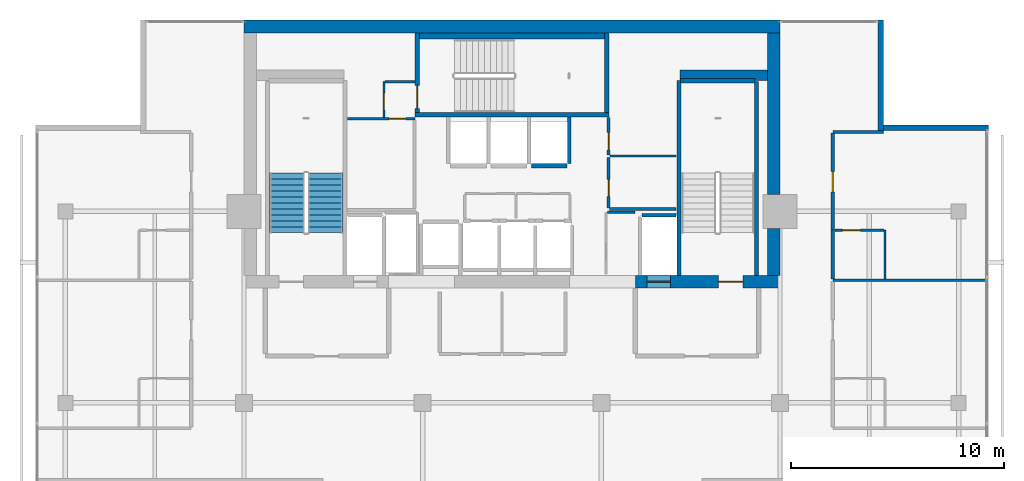
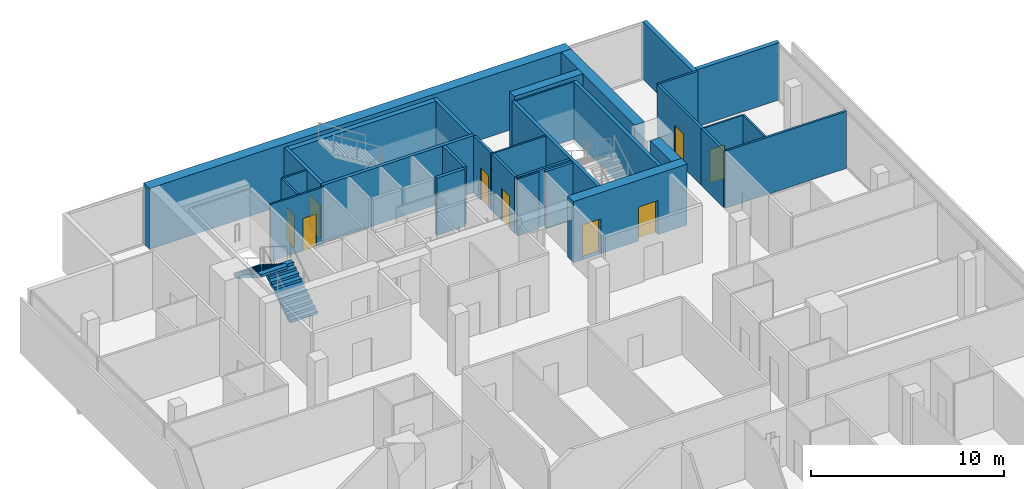
# One storey, part 23 of 26: 31 walls, 9 doors, 2 stair flights, 9 openings, 1 element without a shape of its own.
"""IFC4 building model written with IfcOpenShell, lengths in metres."""

from ifc_helpers import new_model, si_unit, direction, frame, frame_2d, origin, place, context, subcontext, project, spatial, polyline, rectangle, outline, extrude, material, layer, layer_set, type_object, element, fill, aggregate, save


model = new_model("IFC4")

# Units and contexts
model_context = context("Model", 3, precision=1e-05, world=origin(), true_north=direction((0.0, 1.0)))
body_context = subcontext(model_context, "Body", "Model", "MODEL_VIEW")
ifc_project = project(units=[si_unit("LENGTHUNIT", "METRE"), si_unit("AREAUNIT", "SQUARE_METRE"), si_unit("VOLUMEUNIT", "CUBIC_METRE"), si_unit("PLANEANGLEUNIT", "RADIAN"), si_unit("MASSUNIT", "GRAM", prefix="KILO")], contexts=[model_context])

# Site, building, storey
site_placement = place(None, origin())
site = spatial("IfcSite", under=ifc_project, at=site_placement, CompositionType="ELEMENT")
building_placement = place(site_placement, origin())
building = spatial("IfcBuilding", under=site, at=building_placement, Name="Maruvema Waterfront Hotel and Observation Tower", CompositionType="ELEMENT")
storey_placement = place(building_placement, frame((0.0, 0.0, 254.800048828125)))
storey = spatial("IfcBuildingStorey", under=building, at=storey_placement, Name="L62", CompositionType="ELEMENT", Elevation=254.800048828125)

# Wall, opening, door
ifc_material_1 = material(Name="Twin-stud acoustic gypsum drywall", Category="gypsum")
ifc_layer_1 = layer(ifc_material_1, 0.14990234375, Name="Acoustic Corridor and Suite Demising Wall 150 mm")
ifc_layer_set_1 = layer_set([ifc_layer_1], Name="Twin-stud acoustic gypsum drywall")
wall_type_1 = type_object("IfcWallType", Name="Acoustic Corridor and Suite Demising Wall 150 mm", PredefinedType="PARTITIONING", material=ifc_layer_set_1)
wall_1_placement = place(storey_placement, frame((42.340087890625, 45.159912109375, 0.0), z_axis=(0.0, 0.0, 1.0), x_axis=(0.0, 1.0, 0.0)))
wall_1 = element("IfcWall", 1, at=wall_1_placement, inside=storey, type_object=wall_type_1, Name="L62 Freed B2 West S 022", PredefinedType="PARTITIONING", context=body_context, shape_type="SweptSolid", body=[
    extrude(rectangle(XDim=2.380126953125, YDim=0.14990234375, at=frame_2d((1.18994140625, 0.0))), origin(), (0.0, 0.0, 1.0), 3.60986328125),
])
opening_1_placement = place(wall_1_placement, frame((0.550048828125, 0.0, 0.0)))
opening_1 = element("IfcOpeningElement", 2, at=opening_1_placement, cuts=wall_1, Name="Opening DR-080", PredefinedType="OPENING", context=body_context, shape_type="SweptSolid", body=[
    extrude(rectangle(XDim=0.800048828125, YDim=2.050048828125, at=frame_2d((0.39990234375, 1.02490234375))), frame((0.0, 0.0849609375, 0.0), z_axis=(0.0, -1.0, 0.0), x_axis=(1.0, 0.0, 0.0)), (0.0, 0.0, 1.0), 0.169921875),
])
ifc_material_2 = material(Name="Powder-coated steel access leaf", Category="steel")
door_type_1 = type_object("IfcDoorType", Name="Riser and Service Cupboard Door 800x2050 mm", OperationType="NOTDEFINED", PredefinedType="DOOR", material=ifc_material_2)
door_1_placement = place(opening_1_placement, frame((0.800048828125, 0.0, 0.0), z_axis=(0.0, 0.0, 1.0), x_axis=(-1.0, 0.0, 0.0)))
door_1 = element("IfcDoor", 3, at=door_1_placement, inside=storey, type_object=door_type_1, Name="L62 Butler Service Pantry Door", OperationType="SINGLE_SWING_RIGHT", OverallHeight=2.050048828125, OverallWidth=0.800048828125, PredefinedType="DOOR", context=body_context, shape_type="SweptSolid", body=[
    extrude(rectangle(XDim=0.800048828125, YDim=2.050048828125, at=frame_2d((0.39990234375, 1.02490234375))), frame((0.0, 0.02490234375, 0.0), z_axis=(0.0, -1.0, 0.0), x_axis=(1.0, 0.0, 0.0)), (0.0, 0.0, 1.0), 0.050048828125),
])
fill(opening_1, door_1)

wall_2_placement = place(storey_placement, frame((42.340087890625, 47.659912109375, 0.0), z_axis=(0.0, 0.0, 1.0), x_axis=(0.0, 1.0, 0.0)))
wall_2 = element("IfcWall", 4, at=wall_2_placement, inside=storey, type_object=wall_type_1, Name="L62 Freed B2 West N 023", PredefinedType="PARTITIONING", context=body_context, shape_type="SweptSolid", body=[
    extrude(rectangle(XDim=1.760009765625, YDim=0.14990234375, at=frame_2d((0.8798828125, 0.0))), origin(), (0.0, 0.0, 1.0), 3.60986328125),
])
opening_2_placement = place(wall_2_placement, frame((0.239990234375, 0.0, 0.0)))
opening_2 = element("IfcOpeningElement", 5, at=opening_2_placement, cuts=wall_2, Name="Opening DR-080", PredefinedType="OPENING", context=body_context, shape_type="SweptSolid", body=[
    extrude(rectangle(XDim=0.800048828125, YDim=2.050048828125, at=frame_2d((0.39990234375, 1.02490234375))), frame((0.0, 0.0849609375, 0.0), z_axis=(0.0, -1.0, 0.0), x_axis=(1.0, 0.0, 0.0)), (0.0, 0.0, 1.0), 0.169921875),
])
door_2_placement = place(opening_2_placement, frame((0.800048828125, 0.0, 0.0), z_axis=(0.0, 0.0, 1.0), x_axis=(-1.0, 0.0, 0.0)))
door_2 = element("IfcDoor", 6, at=door_2_placement, inside=storey, type_object=door_type_1, Name="L62 Core IT and Linen Store Door", OperationType="SINGLE_SWING_LEFT", OverallHeight=2.050048828125, OverallWidth=0.800048828125, PredefinedType="DOOR", context=body_context, shape_type="SweptSolid", body=[
    extrude(rectangle(XDim=0.800048828125, YDim=2.050048828125, at=frame_2d((0.39990234375, 1.02490234375))), frame((0.0, 0.02490234375, 0.0), z_axis=(0.0, -1.0, 0.0), x_axis=(1.0, 0.0, 0.0)), (0.0, 0.0, 1.0), 0.050048828125),
])
fill(opening_2, door_2)

# Walls
wall_3_placement = place(storey_placement, frame((42.3798828125, 45.1201171875, 0.0), z_axis=(0.0, 0.0, 1.0), x_axis=(1.0, 0.0, 0.0)))
element("IfcWall", 7, at=wall_3_placement, inside=storey, type_object=wall_type_1, Name="L62 Freed B2 South Wall 025", PredefinedType="PARTITIONING", context=body_context, shape_type="SweptSolid", body=[
    extrude(rectangle(XDim=3.14013671875, YDim=0.14990234375, at=frame_2d((1.570068359375, 0.0))), origin(), (0.0, 0.0, 1.0), 3.60986328125),
])
wall_4_placement = place(storey_placement, frame((52.8798828125, 41.82861328125, 0.0), z_axis=(0.0, 0.0, 1.0), x_axis=(0.0, 1.0, 0.0)))
element("IfcWall", 8, at=wall_4_placement, inside=storey, type_object=wall_type_1, Name="L62 Bath L62-NE2 Wall 108", PredefinedType="PARTITIONING", context=body_context, shape_type="SweptSolid", body=[
    extrude(rectangle(XDim=2.2900390625, YDim=0.14990234375, at=frame_2d((1.14501953125, 0.0))), origin(), (0.0, 0.0, 1.0), 3.60986328125),
])

# Wall, opening, door
wall_5_placement = place(storey_placement, frame((52.8798828125, 44.11865234375, 0.0), z_axis=(0.0, 0.0, 1.0), x_axis=(0.0, 1.0, 0.0)))
wall_5 = element("IfcWall", 9, at=wall_5_placement, inside=storey, type_object=wall_type_1, Name="L62 Room L62-NE2 Corridor Wall 109", PredefinedType="PARTITIONING", context=body_context, shape_type="SweptSolid", body=[
    extrude(rectangle(XDim=4.558837890625, YDim=0.14990234375, at=frame_2d((2.279296875, 0.0))), origin(), (0.0, 0.0, 1.0), 3.60986328125),
])
opening_3_placement = place(wall_5_placement, frame((1.804443359375, 0.0, 0.0)))
opening_3 = element("IfcOpeningElement", 10, at=opening_3_placement, cuts=wall_5, Name="Opening DR-095", PredefinedType="OPENING", context=body_context, shape_type="SweptSolid", body=[
    extrude(rectangle(XDim=0.949951171875, YDim=2.14990234375, at=frame_2d((0.47509765625, 1.074951171875))), frame((0.0, 0.0849609375, 0.0), z_axis=(0.0, -1.0, 0.0), x_axis=(1.0, 0.0, 0.0)), (0.0, 0.0, 1.0), 0.169921875),
])
ifc_material_3 = material(Name="Acoustic solid-core hardwood timber leaf", Category="wood")
door_type_2 = type_object("IfcDoorType", Name="Guestroom Entrance Fire Door 950x2150 mm", OperationType="NOTDEFINED", PredefinedType="DOOR", material=ifc_material_3)
door_3_placement = place(opening_3_placement, frame((0.949951171875, 0.0, 0.0), z_axis=(0.0, 0.0, 1.0), x_axis=(-1.0, 0.0, 0.0)))
door_3 = element("IfcDoor", 11, at=door_3_placement, inside=storey, type_object=door_type_2, Name="L62 Room L62-NE2 Entrance Door", OperationType="SINGLE_SWING_RIGHT", OverallHeight=2.14990234375, OverallWidth=0.949951171875, PredefinedType="DOOR", context=body_context, shape_type="SweptSolid", body=[
    extrude(rectangle(XDim=0.949951171875, YDim=2.14990234375, at=frame_2d((0.47509765625, 1.074951171875))), frame((0.0, 0.02490234375, 0.0), z_axis=(0.0, -1.0, 0.0), x_axis=(1.0, 0.0, 0.0)), (0.0, 0.0, 1.0), 0.050048828125),
])
fill(opening_3, door_3)

# Walls
ifc_material_4 = material(Name="Precast concrete C45/55", Category="concrete")
ifc_layer_2 = layer(ifc_material_4, 0.300048828125, Name="Core Shaft Furring Wall 300 mm")
ifc_layer_set_2 = layer_set([ifc_layer_2], Name="Precast concrete C45/55")
wall_type_2 = type_object("IfcWallType", Name="Core Shaft Furring Wall 300 mm", PredefinedType="SOLIDWALL", material=ifc_layer_set_2)
wall_6_placement = place(storey_placement, frame((33.449951171875, 53.25, 0.0), z_axis=(0.0, 0.0, 1.0), x_axis=(1.0, 0.0, 0.0)))
element("IfcWall", 12, at=wall_6_placement, inside=storey, type_object=wall_type_2, Name="L62 Stairwell ST-02 North Furring Wall", PredefinedType="SOLIDWALL", context=body_context, shape_type="SweptSolid", body=[
    extrude(rectangle(XDim=8.699951171875, YDim=0.300048828125, at=frame_2d((4.35009765625, 0.0))), origin(), (0.0, 0.0, 1.0), 3.60986328125),
])
ifc_material_5 = material(Name="Precast concrete C45/55", Category="concrete")
ifc_layer_3 = layer(ifc_material_5, 0.199951171875, Name="Core Shaft and Stairwell Enclosure Wall 200 mm")
ifc_layer_set_3 = layer_set([ifc_layer_3], Name="Precast concrete C45/55")
wall_type_3 = type_object("IfcWallType", Name="Core Shaft and Stairwell Enclosure Wall 200 mm", PredefinedType="SOLIDWALL", material=ifc_layer_set_3)
wall_7_placement = place(storey_placement, frame((33.25, 49.550048828125, 0.0), z_axis=(0.0, 0.0, 1.0), x_axis=(1.0, 0.0, 0.0)))
element("IfcWall", 13, at=wall_7_placement, inside=storey, type_object=wall_type_3, Name="L62 Stairwell ST-02 Shaft Wall", PredefinedType="SOLIDWALL", context=body_context, shape_type="SweptSolid", body=[
    extrude(rectangle(XDim=9.10009765625, YDim=0.199951171875, at=frame_2d((4.550048828125, 0.0))), origin(), (0.0, 0.0, 1.0), 3.60986328125),
])
wall_8_placement = place(storey_placement, frame((42.25, 49.64990234375, 0.0), z_axis=(0.0, 0.0, 1.0), x_axis=(0.0, 1.0, 0.0)))
element("IfcWall", 14, at=wall_8_placement, inside=storey, type_object=wall_type_3, Name="L62 Stairwell ST-02 Shaft Wall", PredefinedType="SOLIDWALL", context=body_context, shape_type="SweptSolid", body=[
    extrude(rectangle(XDim=3.75, YDim=0.199951171875, at=frame_2d((1.875, 0.0))), origin(), (0.0, 0.0, 1.0), 3.60986328125),
])

# Wall, opening, door
wall_9_placement = place(storey_placement, frame((33.35009765625, 49.64990234375, 0.0), z_axis=(0.0, 0.0, 1.0), x_axis=(0.0, 1.0, 0.0)))
wall_9 = element("IfcWall", 15, at=wall_9_placement, inside=storey, type_object=wall_type_3, Name="L62 Stairwell ST-02 Shaft Wall", PredefinedType="SOLIDWALL", context=body_context, shape_type="SweptSolid", body=[
    extrude(rectangle(XDim=3.75, YDim=0.199951171875, at=frame_2d((1.875, 0.0))), origin(), (0.0, 0.0, 1.0), 3.60986328125),
])
opening_4_placement = place(wall_9_placement, frame((0.179931640625, 0.0, 0.0)))
opening_4 = element("IfcOpeningElement", 16, at=opening_4_placement, cuts=wall_9, Name="Opening SD-02", PredefinedType="OPENING", context=body_context, shape_type="SweptSolid", body=[
    extrude(rectangle(XDim=1.10009765625, YDim=2.14990234375, at=frame_2d((0.550048828125, 1.074951171875))), frame((0.0, 0.10986328125, 0.0), z_axis=(0.0, -1.0, 0.0), x_axis=(1.0, 0.0, 0.0)), (0.0, 0.0, 1.0), 0.219970703125),
])
ifc_material_6 = material(Name="Fire-rated galvanised steel leaf", Category="steel")
door_type_3 = type_object("IfcDoorType", Name="Central Exit Stair Fire Door 1100x2150 mm", OperationType="NOTDEFINED", PredefinedType="DOOR", material=ifc_material_6)
door_4_placement = place(opening_4_placement, frame((1.10009765625, 0.0, 0.0), z_axis=(0.0, 0.0, 1.0), x_axis=(-1.0, 0.0, 0.0)))
door_4 = element("IfcDoor", 17, at=door_4_placement, inside=storey, type_object=door_type_3, Name="L62 Exit Stair ST-02 Fire Door", OperationType="SINGLE_SWING_LEFT", OverallHeight=2.14990234375, OverallWidth=1.10009765625, PredefinedType="DOOR", context=body_context, shape_type="SweptSolid", body=[
    extrude(rectangle(XDim=1.10009765625, YDim=2.14990234375, at=frame_2d((0.550048828125, 1.074951171875))), frame((0.0, 0.02490234375, 0.0), z_axis=(0.0, -1.0, 0.0), x_axis=(1.0, 0.0, 0.0)), (0.0, 0.0, 1.0), 0.050048828125),
])
fill(opening_4, door_4)

# Walls
wall_10_placement = place(storey_placement, frame((45.64990234375, 42.0, 0.0), z_axis=(0.0, 0.0, 1.0), x_axis=(0.0, 1.0, 0.0)))
element("IfcWall", 18, at=wall_10_placement, inside=storey, type_object=wall_type_3, Name="L62 Stairwell ST-03 West Shaft Wall", PredefinedType="SOLIDWALL", context=body_context, shape_type="SweptSolid", body=[
    extrude(rectangle(XDim=9.14990234375, YDim=0.199951171875, at=frame_2d((4.574951171875, 0.0))), origin(), (0.0, 0.0, 1.0), 3.60986328125),
])
wall_11_placement = place(storey_placement, frame((49.300048828125, 42.0, 0.0), z_axis=(0.0, 0.0, 1.0), x_axis=(0.0, 1.0, 0.0)))
element("IfcWall", 19, at=wall_11_placement, inside=storey, type_object=wall_type_3, Name="L62 Stairwell ST-03 Shaft Lining Wall", PredefinedType="SOLIDWALL", context=body_context, shape_type="SweptSolid", body=[
    extrude(rectangle(XDim=9.1201171875, YDim=0.199951171875, at=frame_2d((4.56005859375, 0.0))), origin(), (0.0, 0.0, 1.0), 3.60986328125),
])
wall_12_placement = place(storey_placement, frame((45.719970703125, 51.14990234375, 0.0), z_axis=(0.0, 0.0, 1.0), x_axis=(1.0, 0.0, 0.0)))
element("IfcWall", 20, at=wall_12_placement, inside=storey, type_object=wall_type_3, Name="L62 Stairwell ST-03 Shaft Lining Wall", PredefinedType="SOLIDWALL", context=body_context, shape_type="SweptSolid", body=[
    extrude(rectangle(XDim=3.5, YDim=0.199951171875, at=frame_2d((1.75, 0.0))), origin(), (0.0, 0.0, 1.0), 3.60986328125),
])
wall_13_placement = place(storey_placement, frame((38.7099609375, 47.14990234375, 0.0), z_axis=(0.0, 0.0, 1.0), x_axis=(1.0, 0.0, 0.0)))
element("IfcWall", 21, at=wall_13_placement, inside=storey, type_object=wall_type_3, Name="L62 Lift LF-14 Hoistway Front Wall", PredefinedType="SOLIDWALL", context=body_context, shape_type="SweptSolid", body=[
    extrude(rectangle(XDim=1.679931640625, YDim=0.199951171875, at=frame_2d((0.83984375, 0.0))), origin(), (0.0, 0.0, 1.0), 3.60986328125),
])
ifc_material_7 = material(Name="Concrete C70/85", Category="concrete")
ifc_layer_4 = layer(ifc_material_7, 0.5, Name="Core Shear Wall 500 mm")
ifc_layer_set_4 = layer_set([ifc_layer_4], Name="Concrete C70/85")
wall_type_4 = type_object("IfcWallType", Name="Core Shear Wall 500 mm", PredefinedType="SHEAR", material=ifc_layer_set_4)
wall_14_placement = place(storey_placement, frame((45.699951171875, 51.39990234375, 0.0), z_axis=(0.0, 0.0, 1.0), x_axis=(1.0, 0.0, 0.0)))
element("IfcWall", 22, at=wall_14_placement, inside=storey, type_object=wall_type_4, Name="L62 Internal Core Shear Wall NE 500 mm", PredefinedType="SHEAR", context=body_context, shape_type="SweptSolid", body=[
    extrude(rectangle(XDim=4.10009765625, YDim=0.5, at=frame_2d((2.050048828125, 0.0))), origin(), (0.0, 0.0, 1.0), 3.849853515625),
])
ifc_material_8 = material(Name="Concrete C60/75", Category="concrete")
ifc_layer_5 = layer(ifc_material_8, 0.60009765625, Name="Core Shear Wall 600 mm")
ifc_layer_set_5 = layer_set([ifc_layer_5], Name="Concrete C60/75")
wall_type_5 = type_object("IfcWallType", Name="Core Shear Wall 600 mm", PredefinedType="SHEAR", material=ifc_layer_set_5)
wall_15_placement = place(storey_placement, frame((25.199951171875, 53.699951171875, 0.0), z_axis=(0.0, 0.0, 1.0), x_axis=(1.0, 0.0, 0.0)))
element("IfcWall", 23, at=wall_15_placement, inside=storey, type_object=wall_type_5, Name="L62 North Core Shear Wall", PredefinedType="SHEAR", context=body_context, shape_type="SweptSolid", body=[
    extrude(rectangle(XDim=25.199951171875, YDim=0.60009765625, at=frame_2d((12.60009765625, 0.0))), origin(), (0.0, 0.0, 1.0), 3.849853515625),
])

# Wall, openings, doors
wall_16_placement = place(storey_placement, frame((43.60009765625, 41.699951171875, 0.0), z_axis=(0.0, 0.0, 1.0), x_axis=(1.0, 0.0, 0.0)))
wall_16 = element("IfcWall", 24, at=wall_16_placement, inside=storey, type_object=wall_type_5, Name="L62 South-East Core Shear Wall", PredefinedType="SHEAR", context=body_context, shape_type="SweptSolid", body=[
    extrude(rectangle(XDim=6.7998046875, YDim=0.60009765625, at=frame_2d((3.39990234375, 0.0))), origin(), (0.0, 0.0, 1.0), 3.849853515625),
])
opening_5_placement = place(wall_16_placement, frame((3.89990234375, 0.0, 0.0)))
opening_5 = element("IfcOpeningElement", 25, at=opening_5_placement, cuts=wall_16, Name="Opening SD-01", PredefinedType="OPENING", context=body_context, shape_type="SweptSolid", body=[
    extrude(rectangle(XDim=1.14990234375, YDim=2.14990234375, at=frame_2d((0.574951171875, 1.074951171875))), frame((0.0, 0.31005859375, 0.0), z_axis=(0.0, -1.0, 0.0), x_axis=(1.0, 0.0, 0.0)), (0.0, 0.0, 1.0), 0.6201171875),
])
opening_6_placement = place(wall_16_placement, frame((0.550048828125, 0.0, 0.0)))
opening_6 = element("IfcOpeningElement", 26, at=opening_6_placement, cuts=wall_16, Name="Opening LD-03", PredefinedType="OPENING", context=body_context, shape_type="SweptSolid", body=[
    extrude(rectangle(XDim=1.10009765625, YDim=2.199951171875, at=frame_2d((0.550048828125, 1.10009765625))), frame((0.0, 0.31005859375, 0.0), z_axis=(0.0, -1.0, 0.0), x_axis=(1.0, 0.0, 0.0)), (0.0, 0.0, 1.0), 0.6201171875),
])
ifc_material_9 = material(Name="Fire-rated galvanised steel leaf", Category="steel")
door_type_4 = type_object("IfcDoorType", Name="Exit Stair Fire Door 1150x2150 mm", OperationType="NOTDEFINED", PredefinedType="DOOR", material=ifc_material_9)
door_5_placement = place(opening_5_placement, origin())
door_5 = element("IfcDoor", 27, at=door_5_placement, inside=storey, type_object=door_type_4, Name="L62 Exit Stair ST-03 Fire Door", OperationType="SINGLE_SWING_RIGHT", OverallHeight=2.14990234375, OverallWidth=1.14990234375, PredefinedType="DOOR", context=body_context, shape_type="SweptSolid", body=[
    extrude(rectangle(XDim=1.14990234375, YDim=2.14990234375, at=frame_2d((0.574951171875, 1.074951171875))), frame((0.0, 0.02490234375, 0.0), z_axis=(0.0, -1.0, 0.0), x_axis=(1.0, 0.0, 0.0)), (0.0, 0.0, 1.0), 0.050048828125),
])
fill(opening_5, door_5)
ifc_material_10 = material(Name="Brushed stainless steel Grade 316", Category="steel")
door_type_5 = type_object("IfcDoorType", Name="Firefighting Lift Sliding Landing Door 1100x2200 mm", OperationType="SLIDING_TO_LEFT", PredefinedType="DOOR", material=ifc_material_10)
door_6_placement = place(opening_6_placement, frame((1.10009765625, 0.0, 0.0), z_axis=(0.0, 0.0, 1.0), x_axis=(-1.0, 0.0, 0.0)))
door_6 = element("IfcDoor", 28, at=door_6_placement, inside=storey, type_object=door_type_5, Name="L62 Firefighting Lift FL-02 Landing Door", OperationType="SLIDING_TO_LEFT", OverallHeight=2.199951171875, OverallWidth=1.10009765625, PredefinedType="DOOR", context=body_context, shape_type="SweptSolid", body=[
    extrude(rectangle(XDim=1.10009765625, YDim=2.199951171875, at=frame_2d((0.550048828125, 1.10009765625))), frame((0.0, 0.02490234375, 0.0), z_axis=(0.0, -1.0, 0.0), x_axis=(1.0, 0.0, 0.0)), (0.0, 0.0, 1.0), 0.050048828125),
])
fill(opening_6, door_6)

# Walls
wall_17_placement = place(storey_placement, frame((50.10009765625, 42.0, 0.0), z_axis=(0.0, 0.0, 1.0), x_axis=(0.0, 1.0, 0.0)))
element("IfcWall", 29, at=wall_17_placement, inside=storey, type_object=wall_type_5, Name="L62 East-South Core Shear Wall", PredefinedType="SHEAR", context=body_context, shape_type="SweptSolid", body=[
    extrude(rectangle(XDim=2.199951171875, YDim=0.60009765625, at=frame_2d((1.10009765625, 0.0))), origin(), (0.0, 0.0, 1.0), 3.849853515625),
])
wall_18_placement = place(storey_placement, frame((50.10009765625, 45.800048828125, 0.0), z_axis=(0.0, 0.0, 1.0), x_axis=(0.0, 1.0, 0.0)))
element("IfcWall", 30, at=wall_18_placement, inside=storey, type_object=wall_type_5, Name="L62 East-North Core Shear Wall", PredefinedType="SHEAR", context=body_context, shape_type="SweptSolid", body=[
    extrude(rectangle(XDim=7.599853515625, YDim=0.60009765625, at=frame_2d((3.7998046875, 0.0))), origin(), (0.0, 0.0, 1.0), 3.849853515625),
])
ifc_material_11 = material(Name="Moisture-resistant cement-board drywall", Category="gypsum")
ifc_layer_6 = layer(ifc_material_11, 0.10009765625, Name="En-Suite Moisture-Resistant Partition 100 mm")
ifc_layer_set_6 = layer_set([ifc_layer_6], Name="Moisture-resistant cement-board drywall")
wall_type_6 = type_object("IfcWallType", Name="En-Suite Moisture-Resistant Partition 100 mm", PredefinedType="PARTITIONING", material=ifc_layer_set_6)
wall_19_placement = place(storey_placement, frame((42.280029296875, 44.9599609375, 0.0), z_axis=(0.0, 0.0, 1.0), x_axis=(1.0, 0.0, 0.0)))
element("IfcWall", 31, at=wall_19_placement, inside=storey, type_object=wall_type_6, Name="L62 Core Closet K2C North 016", PredefinedType="PARTITIONING", context=body_context, shape_type="SweptSolid", body=[
    extrude(rectangle(XDim=1.300048828125, YDim=0.10009765625, at=frame_2d((0.64990234375, 0.0))), origin(), (0.0, 0.0, 1.0), 3.60986328125),
])

# Wall, opening, door
wall_20_placement = place(storey_placement, frame((30.06005859375, 49.360107421875, 0.0), z_axis=(0.0, 0.0, 1.0), x_axis=(1.0, 0.0, 0.0)))
wall_20 = element("IfcWall", 32, at=wall_20_placement, inside=storey, type_object=wall_type_6, Name="L62 Freed B1 Mid Wall 019", PredefinedType="PARTITIONING", context=body_context, shape_type="SweptSolid", body=[
    extrude(rectangle(XDim=3.179931640625, YDim=0.10009765625, at=frame_2d((1.58984375, 0.0))), origin(), (0.0, 0.0, 1.0), 3.60986328125),
])
opening_7_placement = place(wall_20_placement, frame((1.949951171875, 0.0, 0.0)))
opening_7 = element("IfcOpeningElement", 33, at=opening_7_placement, cuts=wall_20, Name="Opening DR-080", PredefinedType="OPENING", context=body_context, shape_type="SweptSolid", body=[
    extrude(rectangle(XDim=0.800048828125, YDim=2.050048828125, at=frame_2d((0.39990234375, 1.02490234375))), frame((0.0, 0.06005859375, 0.0), z_axis=(0.0, -1.0, 0.0), x_axis=(1.0, 0.0, 0.0)), (0.0, 0.0, 1.0), 0.1201171875),
])
door_7_placement = place(opening_7_placement, origin())
door_7 = element("IfcDoor", 34, at=door_7_placement, inside=storey, type_object=door_type_1, Name="L62 Housekeeping and Linen Room Door", OperationType="SINGLE_SWING_RIGHT", OverallHeight=2.050048828125, OverallWidth=0.800048828125, PredefinedType="DOOR", context=body_context, shape_type="SweptSolid", body=[
    extrude(rectangle(XDim=0.800048828125, YDim=2.050048828125, at=frame_2d((0.39990234375, 1.02490234375))), frame((0.0, 0.02490234375, 0.0), z_axis=(0.0, -1.0, 0.0), x_axis=(1.0, 0.0, 0.0)), (0.0, 0.0, 1.0), 0.050048828125),
])
fill(opening_7, door_7)

wall_21_placement = place(storey_placement, frame((31.780029296875, 49.419921875, 0.0), z_axis=(0.0, 0.0, 1.0), x_axis=(0.0, 1.0, 0.0)))
wall_21 = element("IfcWall", 35, at=wall_21_placement, inside=storey, type_object=wall_type_6, Name="L62 Freed B1 NW East Wall 020", PredefinedType="PARTITIONING", context=body_context, shape_type="SweptSolid", body=[
    extrude(rectangle(XDim=1.68017578125, YDim=0.10009765625, at=frame_2d((0.840087890625, 0.0))), origin(), (0.0, 0.0, 1.0), 3.60986328125),
])
opening_8_placement = place(wall_21_placement, frame((0.35009765625, 0.0, 0.0)))
opening_8 = element("IfcOpeningElement", 36, at=opening_8_placement, cuts=wall_21, Name="Opening DR-080", PredefinedType="OPENING", context=body_context, shape_type="SweptSolid", body=[
    extrude(rectangle(XDim=0.800048828125, YDim=2.050048828125, at=frame_2d((0.39990234375, 1.02490234375))), frame((0.0, 0.06005859375, 0.0), z_axis=(0.0, -1.0, 0.0), x_axis=(1.0, 0.0, 0.0)), (0.0, 0.0, 1.0), 0.1201171875),
])
door_8_placement = place(opening_8_placement, origin())
door_8 = element("IfcDoor", 37, at=door_8_placement, inside=storey, type_object=door_type_1, Name="L62 Guest Floor Pantry Door", OperationType="SINGLE_SWING_LEFT", OverallHeight=2.050048828125, OverallWidth=0.800048828125, PredefinedType="DOOR", context=body_context, shape_type="SweptSolid", body=[
    extrude(rectangle(XDim=0.800048828125, YDim=2.050048828125, at=frame_2d((0.39990234375, 1.02490234375))), frame((0.0, 0.02490234375, 0.0), z_axis=(0.0, -1.0, 0.0), x_axis=(1.0, 0.0, 0.0)), (0.0, 0.0, 1.0), 0.050048828125),
])
fill(opening_8, door_8)

# Walls
wall_22_placement = place(storey_placement, frame((31.820068359375, 51.10009765625, 0.0), z_axis=(0.0, 0.0, 1.0), x_axis=(1.0, 0.0, 0.0)))
element("IfcWall", 38, at=wall_22_placement, inside=storey, type_object=wall_type_6, Name="L62 Freed B1 Vestibule North Wall 021", PredefinedType="PARTITIONING", context=body_context, shape_type="SweptSolid", body=[
    extrude(rectangle(XDim=1.419921875, YDim=0.10009765625, at=frame_2d((0.7099609375, 0.0))), origin(), (0.0, 0.0, 1.0), 3.60986328125),
])
wall_23_placement = place(storey_placement, frame((42.39990234375, 47.60009765625, 0.0), z_axis=(0.0, 0.0, 1.0), x_axis=(1.0, 0.0, 0.0)))
element("IfcWall", 39, at=wall_23_placement, inside=storey, type_object=wall_type_6, Name="L62 Freed B2 Split 024", PredefinedType="PARTITIONING", context=body_context, shape_type="SweptSolid", body=[
    extrude(rectangle(XDim=3.10009765625, YDim=0.10009765625, at=frame_2d((1.550048828125, 0.0))), origin(), (0.0, 0.0, 1.0), 3.60986328125),
])
wall_24_placement = place(storey_placement, frame((55.330078125, 41.82861328125, 0.0), z_axis=(0.0, 0.0, 1.0), x_axis=(0.0, 1.0, 0.0)))
element("IfcWall", 40, at=wall_24_placement, inside=storey, type_object=wall_type_6, Name="L62 En-Suite L62-NE2 E 110", PredefinedType="PARTITIONING", context=body_context, shape_type="SweptSolid", body=[
    extrude(rectangle(XDim=2.2900390625, YDim=0.10009765625, at=frame_2d((1.14501953125, 0.0))), origin(), (0.0, 0.0, 1.0), 3.60986328125),
])

# Wall, opening, door
wall_25_placement = place(storey_placement, frame((52.97998046875, 44.11865234375, 0.0), z_axis=(0.0, 0.0, 1.0), x_axis=(1.0, 0.0, 0.0)))
wall_25 = element("IfcWall", 41, at=wall_25_placement, inside=storey, type_object=wall_type_6, Name="L62 En-Suite L62-NE2 N 111", PredefinedType="PARTITIONING", context=body_context, shape_type="SweptSolid", body=[
    extrude(rectangle(XDim=2.300048828125, YDim=0.10009765625, at=frame_2d((1.14990234375, 0.0))), origin(), (0.0, 0.0, 1.0), 3.60986328125),
])
opening_9_placement = place(wall_25_placement, frame((0.35009765625, 0.0, 0.0)))
opening_9 = element("IfcOpeningElement", 42, at=opening_9_placement, cuts=wall_25, Name="Opening DR-085", PredefinedType="OPENING", context=body_context, shape_type="SweptSolid", body=[
    extrude(rectangle(XDim=0.85009765625, YDim=2.10009765625, at=frame_2d((0.425048828125, 1.050048828125))), frame((0.0, 0.06005859375, 0.0), z_axis=(0.0, -1.0, 0.0), x_axis=(1.0, 0.0, 0.0)), (0.0, 0.0, 1.0), 0.1201171875),
])
ifc_material_12 = material(Name="Moisture-resistant solid timber leaf", Category="wood")
door_type_6 = type_object("IfcDoorType", Name="En-Suite Bathroom Door 850x2100 mm", OperationType="NOTDEFINED", PredefinedType="DOOR", material=ifc_material_12)
door_9_placement = place(opening_9_placement, origin())
door_9 = element("IfcDoor", 43, at=door_9_placement, inside=storey, type_object=door_type_6, Name="L62 En-Suite L62-NE2 Door", OperationType="SINGLE_SWING_LEFT", OverallHeight=2.10009765625, OverallWidth=0.85009765625, PredefinedType="DOOR", context=body_context, shape_type="SweptSolid", body=[
    extrude(rectangle(XDim=0.85009765625, YDim=2.10009765625, at=frame_2d((0.425048828125, 1.050048828125))), frame((0.0, 0.02490234375, 0.0), z_axis=(0.0, -1.0, 0.0), x_axis=(1.0, 0.0, 0.0)), (0.0, 0.0, 1.0), 0.050048828125),
])
fill(opening_9, door_9)

# Walls
ifc_material_13 = material(Name="Precast concrete C45/55 with honed Pernambuco granite facing", Category="masonry")
ifc_layer_7 = layer(ifc_material_13, 0.260009765625, Name="Exterior Granite Clad Spandrel and Pier Wall 260 mm")
ifc_layer_set_7 = layer_set([ifc_layer_7], Name="Precast concrete C45/55 with honed Pernambuco granite facing")
wall_type_7 = type_object("IfcWallType", Name="Exterior Granite Clad Spandrel and Pier Wall 260 mm", PredefinedType="SOLIDWALL", material=ifc_layer_set_7)
for number, where, z_axis, x_axis, name in (
    (44, (55.1298828125, 54.0, 0.0), (0.0, 0.0, 1.0), (0.0, -1.0, 0.0), "L62 Corner Notch Granite Pier Wall NE1"),
    (45, (55.0, 48.929931640625, 0.0), (0.0, 0.0, 1.0), (1.0, 0.0, 0.0), "L62 Corner Notch Granite Pier Wall NE2"),
):
    element("IfcWall", number, at=place(storey_placement, frame(where, z_axis=z_axis, x_axis=x_axis)), inside=storey, type_object=wall_type_7, Name=name, PredefinedType="SOLIDWALL", context=body_context, shape_type="SweptSolid", body=[
        extrude(rectangle(XDim=5.199951171875, YDim=0.260009765625, at=frame_2d((2.60009765625, 0.0))), origin(), (0.0, 0.0, 1.0), 3.60986328125),
    ])
ifc_material_14 = material(Name="Acoustic gypsum plasterboard drywall", Category="gypsum")
ifc_layer_8 = layer(ifc_material_14, 0.125, Name="Guestroom Acoustic Demising Wall 125 mm")
ifc_layer_set_8 = layer_set([ifc_layer_8], Name="Acoustic gypsum plasterboard drywall")
wall_type_8 = type_object("IfcWallType", Name="Guestroom Acoustic Demising Wall 125 mm", PredefinedType="PARTITIONING", material=ifc_layer_set_8)
wall_26_placement = place(storey_placement, frame((52.8798828125, 48.737548828125, 0.0), z_axis=(0.0, 0.0, 1.0), x_axis=(1.0, 0.0, 0.0)))
element("IfcWall", 46, at=wall_26_placement, inside=storey, type_object=wall_type_8, Name="L62 Z3 NE Top End 093", PredefinedType="PARTITIONING", context=body_context, shape_type="SweptSolid", body=[
    extrude(rectangle(XDim=2.380126953125, YDim=0.125, at=frame_2d((1.18994140625, 0.0))), origin(), (0.0, 0.0, 1.0), 3.60986328125),
])
wall_27_placement = place(storey_placement, frame((52.8798828125, 41.768798828125, 0.0), z_axis=(0.0, 0.0, 1.0), x_axis=(1.0, 0.0, 0.0)))
element("IfcWall", 47, at=wall_27_placement, inside=storey, type_object=wall_type_8, Name="L62 Z3 NE Demising 2 103", PredefinedType="PARTITIONING", context=body_context, shape_type="SweptSolid", body=[
    extrude(rectangle(XDim=7.22021484375, YDim=0.125, at=frame_2d((3.610107421875, 0.0))), origin(), (0.0, 0.0, 1.0), 3.60986328125),
])
ifc_material_15 = material(Name="Precast concrete C45/55", Category="concrete")
ifc_layer_9 = layer(ifc_material_15, 0.159912109375, Name="Lift Hoistway Divider Wall 160 mm")
ifc_layer_set_9 = layer_set([ifc_layer_9], Name="Precast concrete C45/55")
wall_type_9 = type_object("IfcWallType", Name="Lift Hoistway Divider Wall 160 mm", PredefinedType="SOLIDWALL", material=ifc_layer_set_9)
wall_28_placement = place(storey_placement, frame((43.89990234375, 44.830078125, 0.0), z_axis=(0.0, 0.0, 1.0), x_axis=(1.0, 0.0, 0.0)))
element("IfcWall", 48, at=wall_28_placement, inside=storey, type_object=wall_type_9, Name="L62 Lift FL-02 Rear Hoistway Wall", PredefinedType="SOLIDWALL", context=body_context, shape_type="SweptSolid", body=[
    extrude(rectangle(XDim=1.60009765625, YDim=0.159912109375, at=frame_2d((0.800048828125, 0.0))), origin(), (0.0, 0.0, 1.0), 3.60986328125),
])
wall_29_placement = place(storey_placement, frame((40.5, 47.25, 0.0), z_axis=(0.0, 0.0, 1.0), x_axis=(0.0, 1.0, 0.0)))
element("IfcWall", 49, at=wall_29_placement, inside=storey, type_object=wall_type_9, Name="L62 Hoistway Divider Wall", PredefinedType="SOLIDWALL", context=body_context, shape_type="SweptSolid", body=[
    extrude(rectangle(XDim=2.18994140625, YDim=0.159912109375, at=frame_2d((1.094970703125, 0.0))), origin(), (0.0, 0.0, 1.0), 3.60986328125),
])

# Stair, stair flights
ifc_material_16 = material(Name="Concrete C50/60", Category="concrete")
stair_type = type_object("IfcStairType", Name="Dogleg Exit Stair 1650 mm (22R x 175.0 mm)", PredefinedType="HALF_TURN_STAIR", material=ifc_material_16)
stair_placement = place(storey_placement, origin())
stair = element("IfcStair", 50, at=stair_placement, inside=storey, type_object=stair_type, Name="L62 ST-01", PredefinedType="HALF_TURN_STAIR")
ifc_material_17 = material(Name="Concrete C50/60", Category="concrete")
stair_flight_type = type_object("IfcStairFlightType", Name="Reinforced Concrete Stair Flight 1650 mm (11R x 175.0 mm)", PredefinedType="STRAIGHT", material=ifc_material_17)
stair_flight_1_placement = place(storey_placement, frame((29.02490234375, 44.0, 0.0), z_axis=(0.0, 0.0, 1.0), x_axis=(0.0, 1.0, 0.0)))
stair_flight_1 = element("IfcStairFlight", 51, at=stair_flight_1_placement, type_object=stair_flight_type, Name="ST-01 flight 1", NumberOfRisers=11, NumberOfTreads=10, PredefinedType="STRAIGHT", RiserHeight=0.175, TreadLength=0.28, context=body_context, shape_type="SweptSolid", body=[
    extrude(outline(polyline([(0.0, 0.0), (0.0, 0.175048828125), (0.280029296875, 0.175048828125), (0.280029296875, 0.35009765625), (0.56005859375, 0.35009765625), (0.56005859375, 0.52490234375), (0.840087890625, 0.52490234375), (0.840087890625, 0.699951171875), (1.1201171875, 0.699951171875), (1.1201171875, 0.875), (1.39990234375, 0.875), (1.39990234375, 1.050048828125), (1.679931640625, 1.050048828125), (1.679931640625, 1.22509765625), (1.9599609375, 1.22509765625), (1.9599609375, 1.39990234375), (2.239990234375, 1.39990234375), (2.239990234375, 1.574951171875), (2.52001953125, 1.574951171875), (2.52001953125, 1.75), (2.800048828125, 1.75), (2.800048828125, 1.925048828125), (2.800048828125, 1.5732421875), (0.28271484375, 0.0), (0.0, 0.0)])), frame((0.0, 0.824951171875, 0.0), z_axis=(0.0, -1.0, 0.0), x_axis=(1.0, 0.0, 0.0)), (0.0, 0.0, 1.0), 1.64990234375),
])
stair_flight_2_placement = place(storey_placement, frame((27.22509765625, 46.800048828125, 1.925048828125), z_axis=(0.0, 0.0, 1.0), x_axis=(0.0, -1.0, 0.0)))
stair_flight_2 = element("IfcStairFlight", 52, at=stair_flight_2_placement, type_object=stair_flight_type, Name="ST-01 flight 2", NumberOfRisers=11, NumberOfTreads=10, PredefinedType="STRAIGHT", RiserHeight=0.175, TreadLength=0.28, context=body_context, shape_type="SweptSolid", body=[
    extrude(outline(polyline([(0.0, 0.0), (0.0, 0.175048828125), (0.280029296875, 0.175048828125), (0.280029296875, 0.35009765625), (0.56005859375, 0.35009765625), (0.56005859375, 0.52490234375), (0.840087890625, 0.52490234375), (0.840087890625, 0.699951171875), (1.1201171875, 0.699951171875), (1.1201171875, 0.875), (1.39990234375, 0.875), (1.39990234375, 1.050048828125), (1.679931640625, 1.050048828125), (1.679931640625, 1.22509765625), (1.9599609375, 1.22509765625), (1.9599609375, 1.39990234375), (2.239990234375, 1.39990234375), (2.239990234375, 1.574951171875), (2.52001953125, 1.574951171875), (2.52001953125, 1.75), (2.800048828125, 1.75), (2.800048828125, 1.925048828125), (2.800048828125, 1.5732421875), (0.28271484375, 0.0), (0.0, 0.0)])), frame((0.0, 0.824951171875, 0.0), z_axis=(0.0, -1.0, 0.0), x_axis=(1.0, 0.0, 0.0)), (0.0, 0.0, 1.0), 1.64990234375),
])
aggregate(stair, [stair_flight_1, stair_flight_2])

save(model, "model.ifc")
